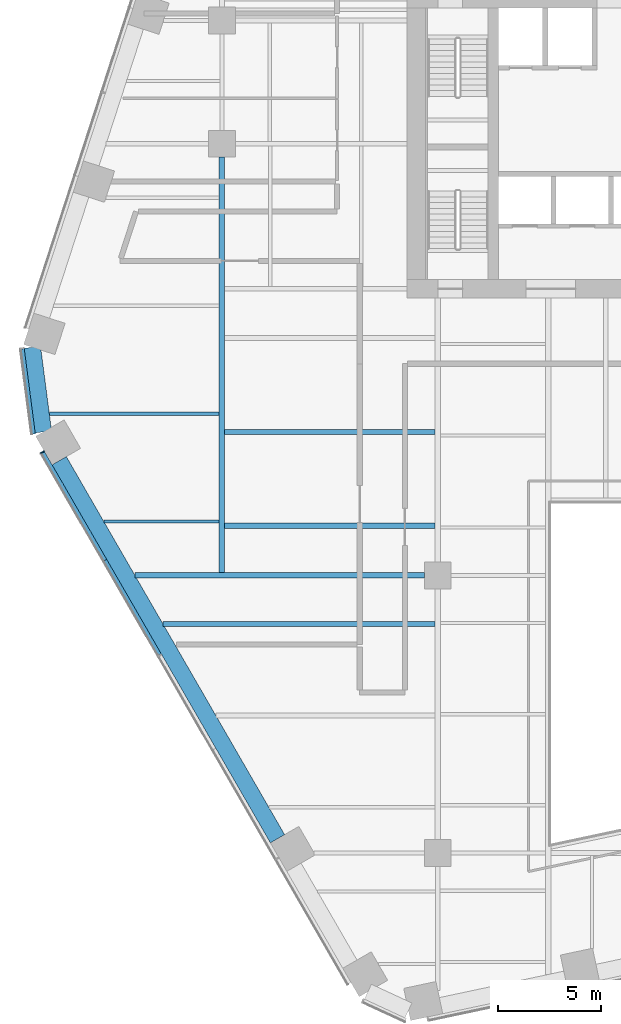
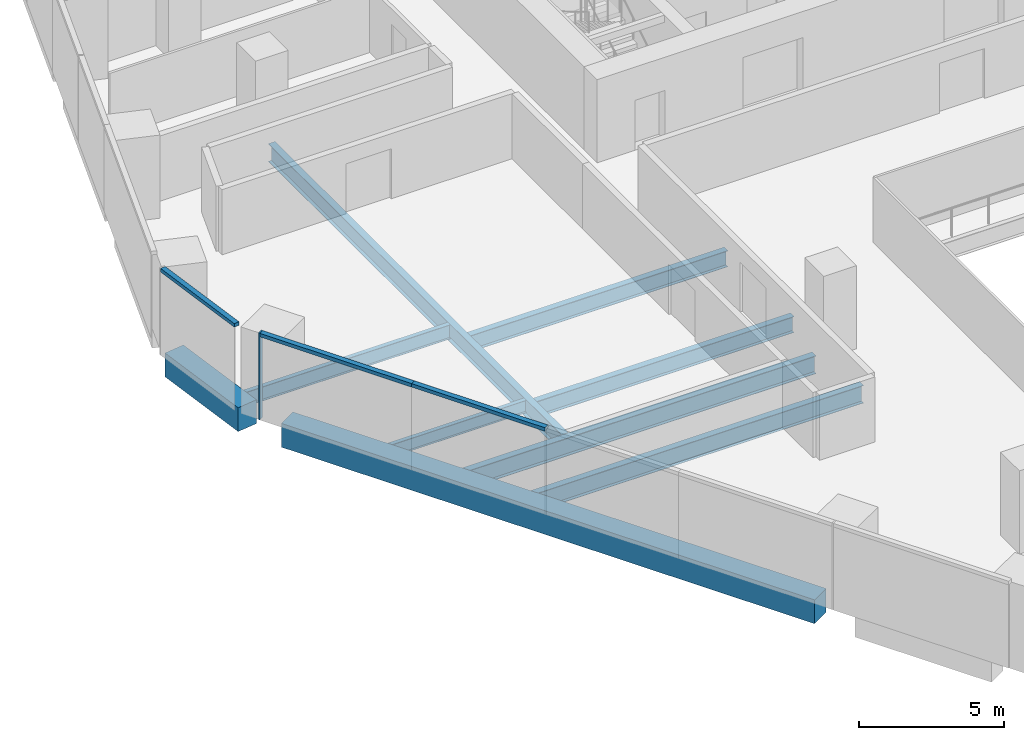
# One storey, part 3 of 19: 9 beams, 4 members, 2 elements without a shape of their own.
"""IFC4 building model written with IfcOpenShell, lengths in metres."""

from ifc_helpers import new_model, si_unit, direction, frame, origin, origin_2d, place, context, subcontext, project, spatial, rectangle, i_section, extrude, material, layer, layer_set, material_profile, profile_set, type_object, element, aggregate, save


model = new_model("IFC4")

# Units and contexts
model_context = context("Model", 3, precision=1e-05, world=origin(), true_north=direction((0.0, 1.0)))
body_context = subcontext(model_context, "Body", "Model", "MODEL_VIEW")
ifc_project = project(units=[si_unit("LENGTHUNIT", "METRE"), si_unit("AREAUNIT", "SQUARE_METRE"), si_unit("VOLUMEUNIT", "CUBIC_METRE"), si_unit("PLANEANGLEUNIT", "RADIAN"), si_unit("MASSUNIT", "GRAM", prefix="KILO")], contexts=[model_context])

# Site, building, storey
site_placement = place(None, origin())
site = spatial("IfcSite", under=ifc_project, at=site_placement, CompositionType="ELEMENT")
building_placement = place(site_placement, origin())
building = spatial("IfcBuilding", under=site, at=building_placement, Name="Isthmus Gate Tower", CompositionType="ELEMENT")
storey_placement = place(building_placement, frame((0.0, 0.0, 87.949951171875)))
storey = spatial("IfcBuildingStorey", under=building, at=storey_placement, Name="L20", CompositionType="ELEMENT", Elevation=87.949951171875)

# Curtain wall, member
ifc_material_1 = material(Name="Aluminium, pale champagne anodised", Category="aluminium")
ifc_layer = layer(ifc_material_1, 0.199951171875)
ifc_layer_set = layer_set([ifc_layer], Name="CW-1 UNITISED CURTAIN WALL 200 DEEP")
curtain_wall_type = type_object("IfcCurtainWallType", Name="CW-1 UNITISED CURTAIN WALL 200 DEEP", PredefinedType="NOTDEFINED", material=ifc_layer_set)
curtain_wall_1_placement = place(storey_placement, origin())
curtain_wall_1 = element("IfcCurtainWall", 1, at=curtain_wall_1_placement, inside=storey, type_object=curtain_wall_type, Name="CW-1 SW L20", PredefinedType="NOTDEFINED")
ifc_material_2 = material(Name="Aluminium, pale champagne anodised", Category="aluminium")
ifc_material_profile_1 = material_profile(ifc_material_2, rectangle(XDim=0.06005859375, YDim=0.199951171875, at=origin_2d()), Name="60x200")
ifc_profile_set_1 = profile_set([ifc_material_profile_1], Name="Aluminium, pale champagne anodised")
member_type_1 = type_object("IfcMemberType", Name="CW-1 MULLION 60 X 200", PredefinedType="MULLION", material=ifc_profile_set_1)
member_1_placement = place(storey_placement, frame((-32.7353515625, -7.500732421875, 0.0), z_axis=(0.0, 0.0, 1.0), x_axis=(0.5, -0.866025403784, 0.0)))
member_1 = element("IfcMember", 2, at=member_1_placement, type_object=member_type_1, Name="CW-1 mullion", PredefinedType="MULLION", context=body_context, shape_type="SweptSolid", body=[
    extrude(rectangle(XDim=0.06005859375, YDim=0.199951171875, at=origin_2d()), origin(), (0.0, 0.0, 1.0), 3.650146484375),
])

curtain_wall_2_placement = place(storey_placement, origin())
curtain_wall_2 = element("IfcCurtainWall", 3, at=curtain_wall_2_placement, inside=storey, type_object=curtain_wall_type, Name="CW-1 NW-SW L20", PredefinedType="NOTDEFINED")
ifc_material_3 = material(Name="Aluminium, pale champagne anodised", Category="aluminium")
ifc_material_profile_2 = material_profile(ifc_material_3, rectangle(XDim=0.199951171875, YDim=0.14990234375, at=origin_2d()), Name="200x150")
ifc_profile_set_2 = profile_set([ifc_material_profile_2], Name="Aluminium, pale champagne anodised")
member_type_2 = type_object("IfcMemberType", Name="CW-1 TRANSOM 200 X 150", PredefinedType="USERDEFINED", material=ifc_profile_set_2)
member_2_placement = place(storey_placement, frame((-33.71923828125, -2.474609375, 3.574951171875), z_axis=(0.129206893318, -0.991617657527, 0.0), x_axis=(0.991617657527, 0.129206893318, 0.0)))
member_2 = element("IfcMember", 4, at=member_2_placement, type_object=member_type_2, Name="CW-1 transom", ObjectType="TRANSOM", PredefinedType="USERDEFINED", context=body_context, shape_type="SweptSolid", body=[
    extrude(rectangle(XDim=0.199951171875, YDim=0.14990234375, at=origin_2d()), origin(), (0.0, 0.0, 1.0), 4.181640625),
])
aggregate(curtain_wall_2, [member_2])

# Member
member_3_placement = place(storey_placement, frame((-32.720458984375, -7.526611328125, 3.574951171875), z_axis=(0.500011280007, -0.866018891171, 0.0), x_axis=(0.866018891171, 0.500011280007, 0.0)))
member_3 = element("IfcMember", 5, at=member_3_placement, type_object=member_type_2, Name="CW-1 transom", ObjectType="TRANSOM", PredefinedType="USERDEFINED", context=body_context, shape_type="SweptSolid", body=[
    extrude(rectangle(XDim=0.199951171875, YDim=0.14990234375, at=origin_2d()), origin(), (0.0, 0.0, 1.0), 6.048583984375),
])

member_4_placement = place(storey_placement, frame((-29.696044921875, -12.764892578125, 3.574951171875), z_axis=(0.499997139945, -0.866027055032, 0.0), x_axis=(0.866027055032, 0.499997139945, 0.0)))
member_4 = element("IfcMember", 6, at=member_4_placement, type_object=member_type_2, Name="CW-1 transom", ObjectType="TRANSOM", PredefinedType="USERDEFINED", context=body_context, shape_type="SweptSolid", body=[
    extrude(rectangle(XDim=0.199951171875, YDim=0.14990234375, at=origin_2d()), origin(), (0.0, 0.0, 1.0), 5.30859375),
])

aggregate(curtain_wall_1, [member_1, member_3, member_4])

# Beams
ifc_material_4 = material(Name="Concrete f'c 70 MPa", Category="concrete")
ifc_material_profile_3 = material_profile(ifc_material_4, rectangle(XDim=0.800048828125, YDim=1.0, at=origin_2d()), Name="RC 800X1000")
ifc_profile_set_3 = profile_set([ifc_material_profile_3], Name="Concrete f'c 70 MPa")
beam_type_1 = type_object("IfcBeamType", Name="RC SPANDREL 800 X 1000", PredefinedType="SPANDREL", material=ifc_profile_set_3)
beam_1_placement = place(storey_placement, frame((-21.300048828125, -26.30712890625, -0.5), z_axis=(-0.499997139945, 0.866027055032, 0.0), x_axis=(-0.866027055032, -0.499997139945, 0.0)))
element("IfcBeam", 7, at=beam_1_placement, inside=storey, type_object=beam_type_1, Name="str-spandrel-L20-16", PredefinedType="SPANDREL", context=body_context, shape_type="SweptSolid", body=[
    extrude(rectangle(XDim=0.800048828125, YDim=1.0, at=origin_2d()), origin(), (0.0, 0.0, 1.0), 21.234375),
])
beam_2_placement = place(storey_placement, frame((-32.6884765625, -6.515380859375, -0.5), z_axis=(-0.129170777359, 0.991622362735, 0.0), x_axis=(-0.991622362735, -0.129170777359, 0.0)))
element("IfcBeam", 8, at=beam_2_placement, inside=storey, type_object=beam_type_1, Name="str-spandrel-L20-17", PredefinedType="SPANDREL", context=body_context, shape_type="SweptSolid", body=[
    extrude(rectangle(XDim=0.800048828125, YDim=1.0, at=origin_2d()), origin(), (0.0, 0.0, 1.0), 4.15234375),
])
ifc_material_5 = material(Name="Structural steel ASTM A992 Gr 50", Category="steel")
ifc_material_profile_4 = material_profile(ifc_material_5, i_section(OverallWidth=0.1650390625, OverallDepth=0.52392578125, WebThickness=0.009521484375, FlangeThickness=0.010986328125, at=origin_2d()), Name="W21X44")
ifc_profile_set_4 = profile_set([ifc_material_profile_4], Name="Structural steel ASTM A992 Gr 50")
beam_type_2 = type_object("IfcBeamType", Name="STEEL FLOOR BEAM W21X44", PredefinedType="JOIST", material=ifc_profile_set_4)
beam_3_placement = place(storey_placement, frame((-29.748046875, -10.875, -0.411865234375), z_axis=(1.0, 0.0, 0.0), x_axis=(0.0, 1.0, 0.0)))
element("IfcBeam", 9, at=beam_3_placement, inside=storey, type_object=beam_type_2, Name="str-beam-L20-00-00", PredefinedType="JOIST", context=body_context, shape_type="SweptSolid", body=[
    extrude(i_section(OverallWidth=0.1650390625, OverallDepth=0.52392578125, WebThickness=0.009521484375, FlangeThickness=0.010986328125, at=origin_2d()), origin(), (0.0, 0.0, 1.0), 5.61474609375),
])
ifc_material_6 = material(Name="Structural steel ASTM A992 Gr 50", Category="steel")
ifc_material_profile_5 = material_profile(ifc_material_6, i_section(OverallWidth=0.177734375, OverallDepth=0.60009765625, WebThickness=0.009521484375, FlangeThickness=0.0126953125, at=origin_2d()), Name="W24X55")
ifc_profile_set_5 = profile_set([ifc_material_profile_5], Name="Structural steel ASTM A992 Gr 50")
beam_type_3 = type_object("IfcBeamType", Name="STEEL FLOOR BEAM W24X55", PredefinedType="JOIST", material=ifc_profile_set_5)
beam_4_placement = place(storey_placement, frame((-32.401123046875, -5.625, -0.449951171875), z_axis=(1.0, 0.0, 0.0), x_axis=(0.0, 1.0, 0.0)))
element("IfcBeam", 10, at=beam_4_placement, inside=storey, type_object=beam_type_3, Name="str-beam-L20-00-01", PredefinedType="JOIST", context=body_context, shape_type="SweptSolid", body=[
    extrude(i_section(OverallWidth=0.177734375, OverallDepth=0.60009765625, WebThickness=0.009521484375, FlangeThickness=0.0126953125, at=origin_2d()), origin(), (0.0, 0.0, 1.0), 8.267822265625),
])
ifc_material_7 = material(Name="Structural steel ASTM A992 Gr 50", Category="steel")
ifc_material_profile_6 = material_profile(ifc_material_7, i_section(OverallWidth=0.25390625, OverallDepth=0.679443359375, WebThickness=0.010986328125, FlangeThickness=0.015869140625, at=origin_2d()), Name="W27X84")
ifc_profile_set_6 = profile_set([ifc_material_profile_6], Name="Structural steel ASTM A992 Gr 50")
beam_type_4 = type_object("IfcBeamType", Name="STEEL FLOOR BEAM W27X84", PredefinedType="JOIST", material=ifc_profile_set_6)
for number, where, z_axis, x_axis, name in (
    (11, (-23.86669921875, -11.0830078125, -0.48974609375), (1.0, 0.0, 0.0), (0.0, 1.0, 0.0), "str-beam-L20-08-00"),
    (12, (-23.86669921875, -6.515380859375, -0.48974609375), (1.0, 0.0, 0.0), (0.0, 1.0, 0.0), "str-beam-L20-08-01"),
):
    element("IfcBeam", number, at=place(storey_placement, frame(where, z_axis=z_axis, x_axis=x_axis)), inside=storey, type_object=beam_type_4, Name=name, PredefinedType="JOIST", context=body_context, shape_type="SweptSolid", body=[
        extrude(i_section(OverallWidth=0.25390625, OverallDepth=0.679443359375, WebThickness=0.010986328125, FlangeThickness=0.015869140625, at=origin_2d()), origin(), (0.0, 0.0, 1.0), 10.23486328125),
    ])
ifc_material_8 = material(Name="Structural steel ASTM A992 Gr 50", Category="steel")
ifc_material_profile_7 = material_profile(ifc_material_8, i_section(OverallWidth=0.263427734375, OverallDepth=0.749267578125, WebThickness=0.0126953125, FlangeThickness=0.015869140625, at=origin_2d()), Name="W30X90")
ifc_profile_set_7 = profile_set([ifc_material_profile_7], Name="Structural steel ASTM A992 Gr 50")
beam_type_5 = type_object("IfcBeamType", Name="STEEL FLOOR BEAM W30X90", PredefinedType="JOIST", material=ifc_profile_set_7)
beam_5_placement = place(storey_placement, frame((-26.869140625, -15.861083984375, -0.524658203125), z_axis=(1.0, 0.0, 0.0), x_axis=(0.0, 1.0, 0.0)))
element("IfcBeam", 13, at=beam_5_placement, inside=storey, type_object=beam_type_5, Name="str-beam-L20-06-02", PredefinedType="JOIST", context=body_context, shape_type="SweptSolid", body=[
    extrude(i_section(OverallWidth=0.263427734375, OverallDepth=0.749267578125, WebThickness=0.0126953125, FlangeThickness=0.015869140625, at=origin_2d()), origin(), (0.0, 0.0, 1.0), 13.2373046875),
])
ifc_material_9 = material(Name="Structural steel ASTM A992 Gr 50", Category="steel")
ifc_material_profile_8 = material_profile(ifc_material_9, i_section(OverallWidth=0.2666015625, OverallDepth=0.7587890625, WebThickness=0.014404296875, FlangeThickness=0.01904296875, at=origin_2d()), Name="W30X108")
ifc_profile_set_8 = profile_set([ifc_material_profile_8], Name="Structural steel ASTM A992 Gr 50")
beam_type_6 = type_object("IfcBeamType", Name="STEEL GIRDER W30X108", PredefinedType="BEAM", material=ifc_profile_set_8)
beam_6_placement = place(storey_placement, frame((-28.232421875, -13.5, -0.529296875), z_axis=(1.0, 0.0, 0.0), x_axis=(0.0, 1.0, 0.0)))
element("IfcBeam", 14, at=beam_6_placement, inside=storey, type_object=beam_type_6, Name="str-girder-L20-05", PredefinedType="BEAM", context=body_context, shape_type="SweptSolid", body=[
    extrude(i_section(OverallWidth=0.2666015625, OverallDepth=0.7587890625, WebThickness=0.014404296875, FlangeThickness=0.01904296875, at=origin_2d()), origin(), (0.0, 0.0, 1.0), 14.08251953125),
])
beam_7_placement = place(storey_placement, frame((-24.0, -13.36669921875, -0.529296875), z_axis=(0.0, 1.0, 0.0), x_axis=(-1.0, 0.0, 0.0)))
element("IfcBeam", 15, at=beam_7_placement, inside=storey, type_object=beam_type_6, Name="str-girder-L20-21", PredefinedType="BEAM", context=body_context, shape_type="SweptSolid", body=[
    extrude(i_section(OverallWidth=0.2666015625, OverallDepth=0.7587890625, WebThickness=0.014404296875, FlangeThickness=0.01904296875, at=origin_2d()), origin(), (0.0, 0.0, 1.0), 20.216796875),
])

save(model, "model.ifc")
